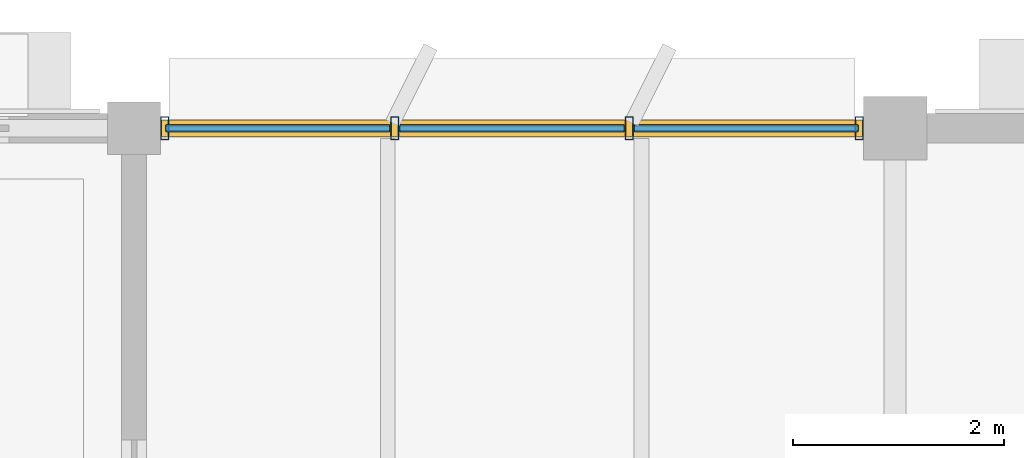
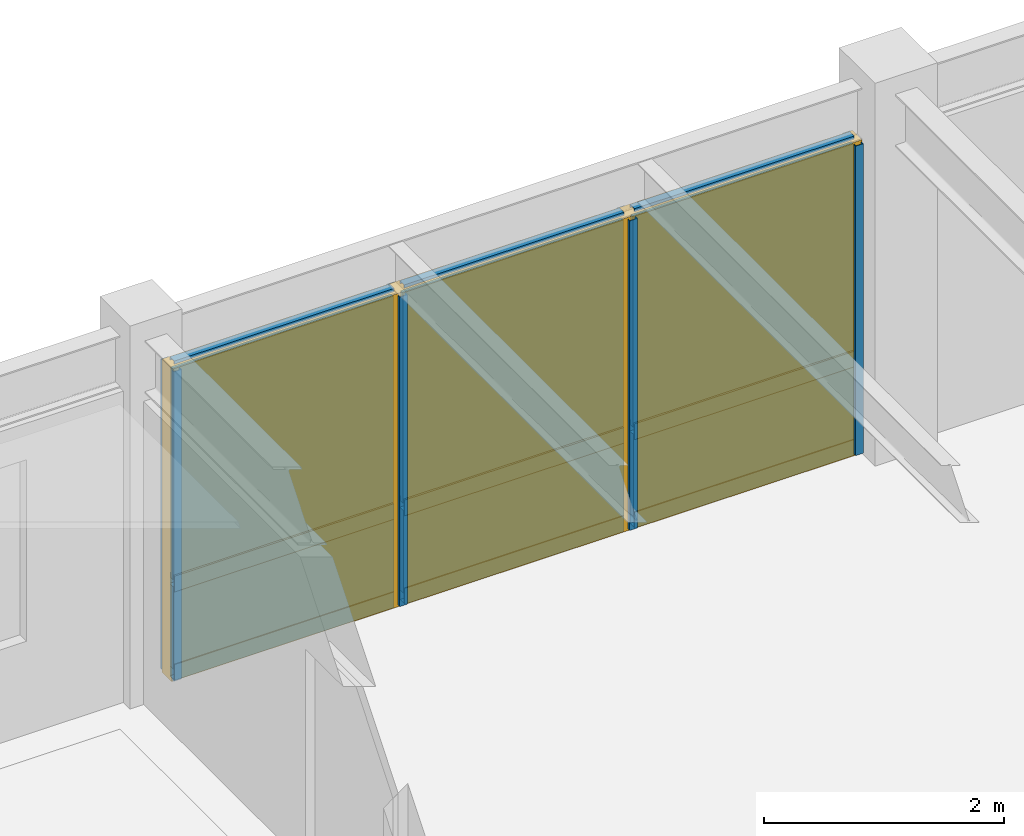
# One storey, part 23 of 35: 13 members, 6 plates, 1 curtain wall.
"""IFC4 building model written with IfcOpenShell, lengths in metres."""

from ifc_helpers import new_model, si_unit, direction, frame, origin, origin_2d, place, context, subcontext, project, spatial, rectangle, hollow_rectangle, extrude, material, layer, layer_set, material_profile, profile_set, type_object, element, aggregate, save


model = new_model("IFC4")

# Units and contexts
model_context = context("Model", 3, precision=1e-05, world=origin(), true_north=direction((0.0, 1.0)))
body_context = subcontext(model_context, "Body", "Model", "MODEL_VIEW")
ifc_project = project(units=[si_unit("LENGTHUNIT", "METRE"), si_unit("AREAUNIT", "SQUARE_METRE"), si_unit("VOLUMEUNIT", "CUBIC_METRE"), si_unit("PLANEANGLEUNIT", "RADIAN"), si_unit("MASSUNIT", "GRAM", prefix="KILO")], contexts=[model_context])

# Member
ifc_material_1 = material(Name="Anodized Aluminium 6063-T6", Category="aluminium")
ifc_material_profile_1 = material_profile(ifc_material_1, hollow_rectangle(XDim=0.074951171875, YDim=0.219970703125, WallThickness=0.0048828125, at=origin_2d()), Name="ALU 75x220x5")
ifc_profile_set_1 = profile_set([ifc_material_profile_1], Name="Anodized Aluminium 6063-T6")
member_type_1 = type_object("IfcMemberType", Name="CWM-75X180", PredefinedType="MULLION", material=ifc_profile_set_1)
site_placement = place(None, origin())
building_placement = place(site_placement, origin())
storey_placement = place(building_placement, frame((0.0, 0.0, 18.0)))
member_1_placement = place(storey_placement, frame((50.68994140625, 115.199951171875, 0.02001953125), z_axis=(0.0, 0.0, 1.0), x_axis=(1.0, 0.0, 0.0)))
member_1 = element("IfcMember", 1, at=member_1_placement, type_object=member_type_1, Name="Curtain wall mullion CW-L05-07-15-N-00", PredefinedType="MULLION", context=body_context, shape_type="SweptSolid", body=[
    extrude(hollow_rectangle(XDim=0.074951171875, YDim=0.219970703125, WallThickness=0.0048828125, at=origin_2d()), origin(), (0.0, 0.0, 1.0), 3.152099609375),
])

member_2_placement = place(storey_placement, frame((52.86669921875, 115.199951171875, 0.02001953125), z_axis=(0.0, 0.0, 1.0), x_axis=(1.0, 0.0, 0.0)))
member_2 = element("IfcMember", 2, at=member_2_placement, type_object=member_type_1, Name="Curtain wall mullion CW-L05-07-15-N-01", PredefinedType="MULLION", context=body_context, shape_type="SweptSolid", body=[
    extrude(hollow_rectangle(XDim=0.074951171875, YDim=0.219970703125, WallThickness=0.0048828125, at=origin_2d()), origin(), (0.0, 0.0, 1.0), 3.152099609375),
])

member_3_placement = place(storey_placement, frame((55.083251953125, 115.199951171875, 0.02001953125), z_axis=(0.0, 0.0, 1.0), x_axis=(1.0, 0.0, 0.0)))
member_3 = element("IfcMember", 3, at=member_3_placement, type_object=member_type_1, Name="Curtain wall mullion CW-L05-07-15-N-02", PredefinedType="MULLION", context=body_context, shape_type="SweptSolid", body=[
    extrude(hollow_rectangle(XDim=0.074951171875, YDim=0.219970703125, WallThickness=0.0048828125, at=origin_2d()), origin(), (0.0, 0.0, 1.0), 3.152099609375),
])

member_4_placement = place(storey_placement, frame((57.260009765625, 115.199951171875, 0.02001953125), z_axis=(0.0, 0.0, 1.0), x_axis=(1.0, 0.0, 0.0)))
member_4 = element("IfcMember", 4, at=member_4_placement, type_object=member_type_1, Name="Curtain wall mullion CW-L05-07-15-N-03", PredefinedType="MULLION", context=body_context, shape_type="SweptSolid", body=[
    extrude(hollow_rectangle(XDim=0.074951171875, YDim=0.219970703125, WallThickness=0.0048828125, at=origin_2d()), origin(), (0.0, 0.0, 1.0), 3.152099609375),
])

ifc_material_profile_2 = material_profile(ifc_material_1, hollow_rectangle(XDim=0.074951171875, YDim=0.159912109375, WallThickness=0.00390625, at=origin_2d()), Name="ALU 75x160x4")
ifc_profile_set_2 = profile_set([ifc_material_profile_2], Name="Anodized Aluminium 6063-T6")
member_type_2 = type_object("IfcMemberType", Name="CWT-75X150", PredefinedType="USERDEFINED", material=ifc_profile_set_2)
member_5_placement = place(storey_placement, frame((50.699951171875, 115.199951171875, 0.050048828125), z_axis=(1.0, 0.0, 0.0), x_axis=(0.0, 1.0, 0.0)))
member_5 = element("IfcMember", 5, at=member_5_placement, type_object=member_type_2, Name="Curtain wall transom CW-L05-07-15-N-1.01", ObjectType="TRANSOM", PredefinedType="USERDEFINED", context=body_context, shape_type="SweptSolid", body=[
    extrude(hollow_rectangle(XDim=0.074951171875, YDim=0.159912109375, WallThickness=0.00390625, at=origin_2d()), origin(), (0.0, 0.0, 1.0), 2.11669921875),
])

member_6_placement = place(storey_placement, frame((52.916748046875, 115.199951171875, 0.050048828125), z_axis=(1.0, 0.0, 0.0), x_axis=(0.0, 1.0, 0.0)))
member_6 = element("IfcMember", 6, at=member_6_placement, type_object=member_type_2, Name="Curtain wall transom CW-L05-07-15-N-1.02", ObjectType="TRANSOM", PredefinedType="USERDEFINED", context=body_context, shape_type="SweptSolid", body=[
    extrude(hollow_rectangle(XDim=0.074951171875, YDim=0.159912109375, WallThickness=0.00390625, at=origin_2d()), origin(), (0.0, 0.0, 1.0), 2.116455078125),
])

member_7_placement = place(storey_placement, frame((55.13330078125, 115.199951171875, 0.050048828125), z_axis=(1.0, 0.0, 0.0), x_axis=(0.0, 1.0, 0.0)))
member_7 = element("IfcMember", 7, at=member_7_placement, type_object=member_type_2, Name="Curtain wall transom CW-L05-07-15-N-1.03", ObjectType="TRANSOM", PredefinedType="USERDEFINED", context=body_context, shape_type="SweptSolid", body=[
    extrude(hollow_rectangle(XDim=0.074951171875, YDim=0.159912109375, WallThickness=0.00390625, at=origin_2d()), origin(), (0.0, 0.0, 1.0), 2.11669921875),
])

member_8_placement = place(storey_placement, frame((50.699951171875, 115.199951171875, 0.949951171875), z_axis=(1.0, 0.0, 0.0), x_axis=(0.0, 1.0, 0.0)))
member_8 = element("IfcMember", 8, at=member_8_placement, type_object=member_type_2, Name="Curtain wall transom CW-L05-07-15-N-2.01", ObjectType="TRANSOM", PredefinedType="USERDEFINED", context=body_context, shape_type="SweptSolid", body=[
    extrude(hollow_rectangle(XDim=0.074951171875, YDim=0.159912109375, WallThickness=0.00390625, at=origin_2d()), origin(), (0.0, 0.0, 1.0), 2.11669921875),
])

member_9_placement = place(storey_placement, frame((52.916748046875, 115.199951171875, 0.949951171875), z_axis=(1.0, 0.0, 0.0), x_axis=(0.0, 1.0, 0.0)))
member_9 = element("IfcMember", 9, at=member_9_placement, type_object=member_type_2, Name="Curtain wall transom CW-L05-07-15-N-2.02", ObjectType="TRANSOM", PredefinedType="USERDEFINED", context=body_context, shape_type="SweptSolid", body=[
    extrude(hollow_rectangle(XDim=0.074951171875, YDim=0.159912109375, WallThickness=0.00390625, at=origin_2d()), origin(), (0.0, 0.0, 1.0), 2.116455078125),
])

member_10_placement = place(storey_placement, frame((55.13330078125, 115.199951171875, 0.949951171875), z_axis=(1.0, 0.0, 0.0), x_axis=(0.0, 1.0, 0.0)))
member_10 = element("IfcMember", 10, at=member_10_placement, type_object=member_type_2, Name="Curtain wall transom CW-L05-07-15-N-2.03", ObjectType="TRANSOM", PredefinedType="USERDEFINED", context=body_context, shape_type="SweptSolid", body=[
    extrude(hollow_rectangle(XDim=0.074951171875, YDim=0.159912109375, WallThickness=0.00390625, at=origin_2d()), origin(), (0.0, 0.0, 1.0), 2.11669921875),
])

member_11_placement = place(storey_placement, frame((50.699951171875, 115.199951171875, 3.14208984375), z_axis=(1.0, 0.0, 0.0), x_axis=(0.0, 1.0, 0.0)))
member_11 = element("IfcMember", 11, at=member_11_placement, type_object=member_type_2, Name="Curtain wall transom CW-L05-07-15-N-3.01", ObjectType="TRANSOM", PredefinedType="USERDEFINED", context=body_context, shape_type="SweptSolid", body=[
    extrude(hollow_rectangle(XDim=0.074951171875, YDim=0.159912109375, WallThickness=0.00390625, at=origin_2d()), origin(), (0.0, 0.0, 1.0), 2.11669921875),
])

member_12_placement = place(storey_placement, frame((52.916748046875, 115.199951171875, 3.14208984375), z_axis=(1.0, 0.0, 0.0), x_axis=(0.0, 1.0, 0.0)))
member_12 = element("IfcMember", 12, at=member_12_placement, type_object=member_type_2, Name="Curtain wall transom CW-L05-07-15-N-3.02", ObjectType="TRANSOM", PredefinedType="USERDEFINED", context=body_context, shape_type="SweptSolid", body=[
    extrude(hollow_rectangle(XDim=0.074951171875, YDim=0.159912109375, WallThickness=0.00390625, at=origin_2d()), origin(), (0.0, 0.0, 1.0), 2.116455078125),
])

member_13_placement = place(storey_placement, frame((55.13330078125, 115.199951171875, 3.14208984375), z_axis=(1.0, 0.0, 0.0), x_axis=(0.0, 1.0, 0.0)))
member_13 = element("IfcMember", 13, at=member_13_placement, type_object=member_type_2, Name="Curtain wall transom CW-L05-07-15-N-3.03", ObjectType="TRANSOM", PredefinedType="USERDEFINED", context=body_context, shape_type="SweptSolid", body=[
    extrude(hollow_rectangle(XDim=0.074951171875, YDim=0.159912109375, WallThickness=0.00390625, at=origin_2d()), origin(), (0.0, 0.0, 1.0), 2.11669921875),
])

# Plate
ifc_material_2 = material(Name="Acoustic Laminated Low-E Glazing", Category="glass")
ifc_layer_1 = layer(ifc_material_2, 0.0439453125)
ifc_layer_set_1 = layer_set([ifc_layer_1], Name="Acoustic Laminated Low-E Glazing")
plate_type_1 = type_object("IfcPlateType", Name="CWP-IGU-44", PredefinedType="CURTAIN_PANEL", material=ifc_layer_set_1)
plate_1_placement = place(storey_placement, frame((51.75830078125, 115.199951171875, 0.989990234375), z_axis=(0.0, 0.0, 1.0), x_axis=(1.0, 0.0, 0.0)))
plate_1 = element("IfcPlate", 14, at=plate_1_placement, type_object=plate_type_1, Name="Curtain wall vision glazing CW-L05-07-15-N-01", PredefinedType="CURTAIN_PANEL", context=body_context, shape_type="SweptSolid", body=[
    extrude(rectangle(XDim=2.126708984375, YDim=0.0400390625, at=origin_2d()), origin(), (0.0, 0.0, 1.0), 2.14208984375),
])

plate_2_placement = place(storey_placement, frame((53.97509765625, 115.199951171875, 0.989990234375), z_axis=(0.0, 0.0, 1.0), x_axis=(1.0, 0.0, 0.0)))
plate_2 = element("IfcPlate", 15, at=plate_2_placement, type_object=plate_type_1, Name="Curtain wall vision glazing CW-L05-07-15-N-02", PredefinedType="CURTAIN_PANEL", context=body_context, shape_type="SweptSolid", body=[
    extrude(rectangle(XDim=2.126708984375, YDim=0.0400390625, at=origin_2d()), origin(), (0.0, 0.0, 1.0), 2.14208984375),
])

plate_3_placement = place(storey_placement, frame((56.191650390625, 115.199951171875, 0.989990234375), z_axis=(0.0, 0.0, 1.0), x_axis=(1.0, 0.0, 0.0)))
plate_3 = element("IfcPlate", 16, at=plate_3_placement, type_object=plate_type_1, Name="Curtain wall vision glazing CW-L05-07-15-N-03", PredefinedType="CURTAIN_PANEL", context=body_context, shape_type="SweptSolid", body=[
    extrude(rectangle(XDim=2.126708984375, YDim=0.0400390625, at=origin_2d()), origin(), (0.0, 0.0, 1.0), 2.14208984375),
])

ifc_material_3 = material(Name="Insulated Stone-Composite Spandrel", Category="masonry")
ifc_layer_2 = layer(ifc_material_3, 0.068115234375)
ifc_layer_set_2 = layer_set([ifc_layer_2], Name="Insulated Stone-Composite Spandrel")
plate_type_2 = type_object("IfcPlateType", Name="CWP-SPN-68", PredefinedType="CURTAIN_PANEL", material=ifc_layer_set_2)
plate_4_placement = place(storey_placement, frame((51.75830078125, 115.199951171875, 0.080078125), z_axis=(0.0, 0.0, 1.0), x_axis=(1.0, 0.0, 0.0)))
plate_4 = element("IfcPlate", 17, at=plate_4_placement, type_object=plate_type_2, Name="Curtain wall spandrel panel CW-L05-07-15-N-01", PredefinedType="CURTAIN_PANEL", context=body_context, shape_type="SweptSolid", body=[
    extrude(rectangle(XDim=2.126708984375, YDim=0.06005859375, at=origin_2d()), origin(), (0.0, 0.0, 1.0), 0.840087890625),
])

plate_5_placement = place(storey_placement, frame((53.97509765625, 115.199951171875, 0.080078125), z_axis=(0.0, 0.0, 1.0), x_axis=(1.0, 0.0, 0.0)))
plate_5 = element("IfcPlate", 18, at=plate_5_placement, type_object=plate_type_2, Name="Curtain wall spandrel panel CW-L05-07-15-N-02", PredefinedType="CURTAIN_PANEL", context=body_context, shape_type="SweptSolid", body=[
    extrude(rectangle(XDim=2.126708984375, YDim=0.06005859375, at=origin_2d()), origin(), (0.0, 0.0, 1.0), 0.840087890625),
])

plate_6_placement = place(storey_placement, frame((56.191650390625, 115.199951171875, 0.080078125), z_axis=(0.0, 0.0, 1.0), x_axis=(1.0, 0.0, 0.0)))
plate_6 = element("IfcPlate", 19, at=plate_6_placement, type_object=plate_type_2, Name="Curtain wall spandrel panel CW-L05-07-15-N-03", PredefinedType="CURTAIN_PANEL", context=body_context, shape_type="SweptSolid", body=[
    extrude(rectangle(XDim=2.126708984375, YDim=0.06005859375, at=origin_2d()), origin(), (0.0, 0.0, 1.0), 0.840087890625),
])

# Site, building, storey
site = spatial("IfcSite", under=ifc_project, at=site_placement, CompositionType="ELEMENT")
building = spatial("IfcBuilding", under=site, at=building_placement, Name="Sillqori Civic Hall", CompositionType="ELEMENT")
storey = spatial("IfcBuildingStorey", under=building, at=storey_placement, Name="L05", CompositionType="ELEMENT", Elevation=18.0)

# Curtain wall
ifc_material_4 = material(Name="Anodized Aluminium Curtain Wall System", Category="aluminium")
curtain_wall_type = type_object("IfcCurtainWallType", Name="CW-AD-370", PredefinedType="NOTDEFINED", material=ifc_material_4)
curtain_wall_placement = place(storey_placement, frame((53.97509765625, 115.199951171875, 0.0), z_axis=(0.0, 0.0, 1.0), x_axis=(1.0, 0.0, 0.0)))
curtain_wall = element("IfcCurtainWall", 20, at=curtain_wall_placement, inside=storey, type_object=curtain_wall_type, Name="L05 unitised curtain wall CW-L05-07-15-N", PredefinedType="NOTDEFINED", context=body_context, shape_type="SweptSolid", body=[
    extrude(rectangle(XDim=6.64990234375, YDim=0.159912109375, at=origin_2d()), origin(), (0.0, 0.0, 1.0), 3.19189453125),
])

aggregate(curtain_wall, [member_1, member_2, member_3, member_4, member_5, member_6, member_7, member_8, member_9, member_10, member_11, member_12, member_13, plate_4, plate_1, plate_5, plate_2, plate_6, plate_3])

save(model, "model.ifc")
